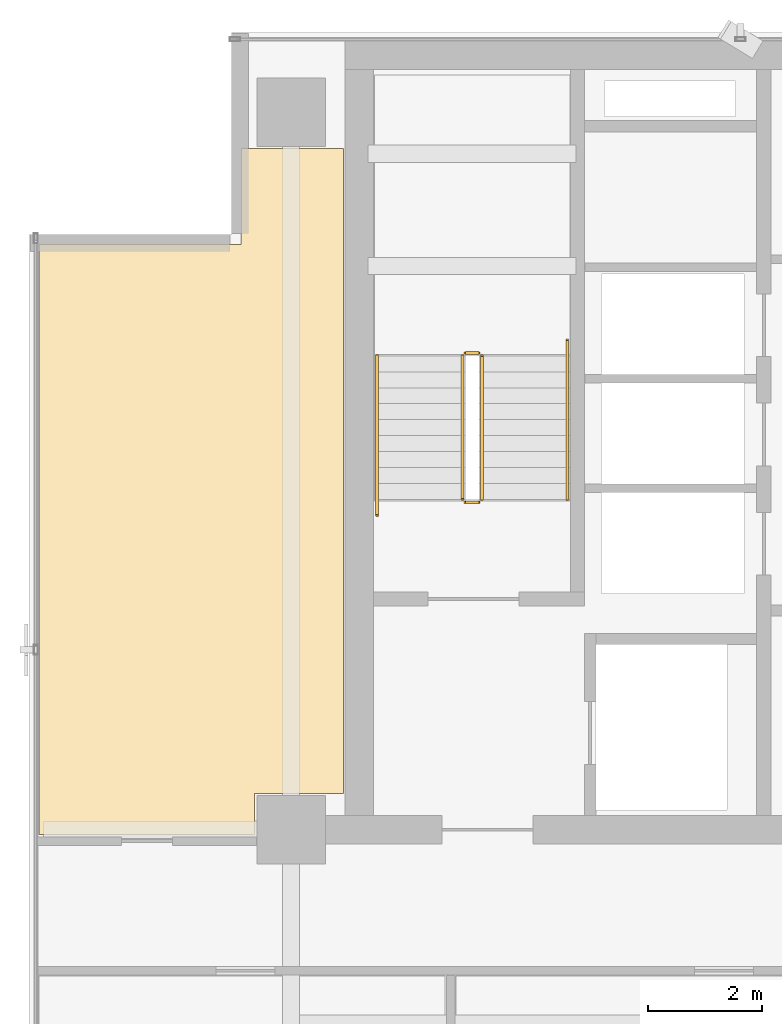
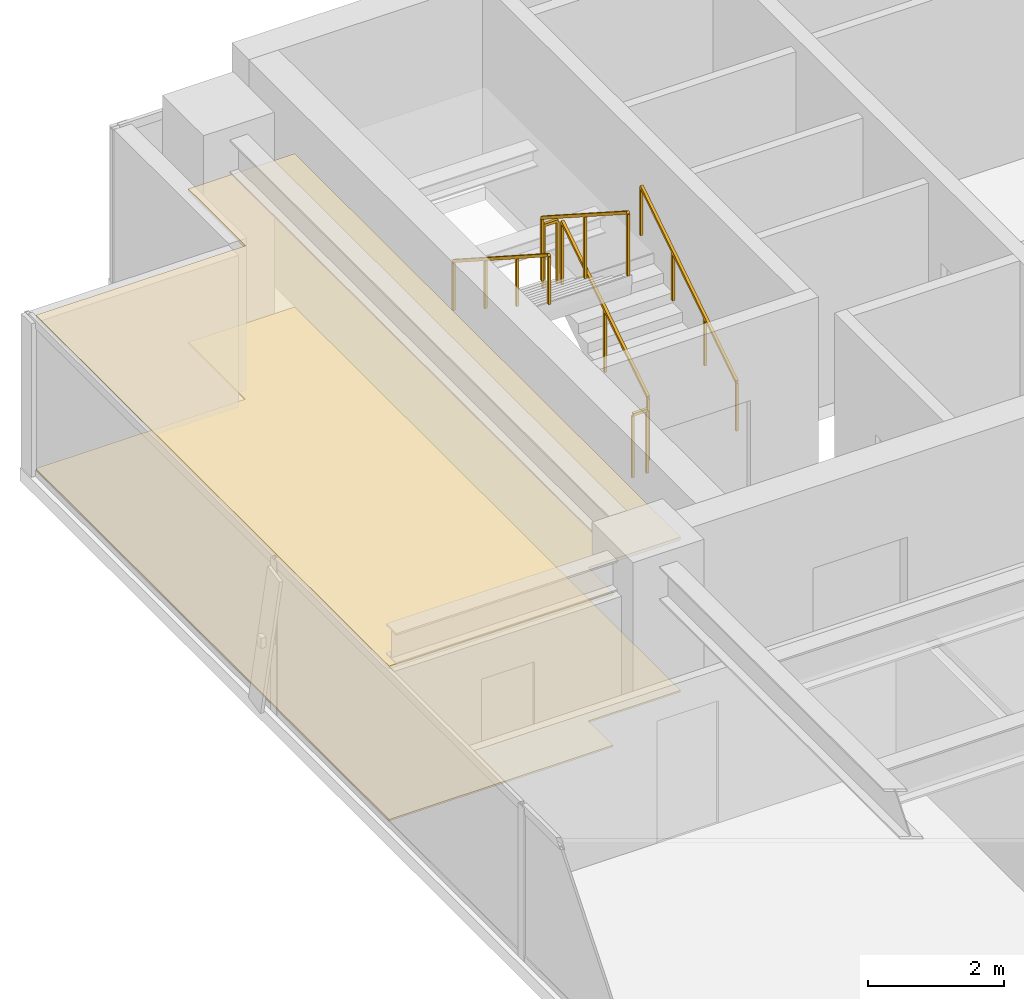
# One storey, part 19 of 22: 6 railings, 2 coverings.
"""IFC4 building model written with IfcOpenShell, lengths in metres."""

from ifc_helpers import new_model, si_unit, direction, frame, origin, origin_2d, place, context, subcontext, project, spatial, polyline, rectangle, outline, extrude, material, layer, layer_set, type_object, element, save


model = new_model("IFC4")

# Units and contexts
model_context = context("Model", 3, precision=1e-05, world=origin(), true_north=direction((0.0, 1.0)))
body_context = subcontext(model_context, "Body", "Model", "MODEL_VIEW")
ifc_project = project(units=[si_unit("LENGTHUNIT", "METRE"), si_unit("AREAUNIT", "SQUARE_METRE"), si_unit("VOLUMEUNIT", "CUBIC_METRE"), si_unit("PLANEANGLEUNIT", "RADIAN"), si_unit("MASSUNIT", "GRAM", prefix="KILO")], contexts=[model_context])

# Site, building, storey
site_placement = place(None, origin())
site = spatial("IfcSite", under=ifc_project, at=site_placement, CompositionType="ELEMENT")
building_placement = place(site_placement, origin())
building = spatial("IfcBuilding", under=site, at=building_placement, Name="Sumidabori Civic Tower", CompositionType="ELEMENT")
storey_placement = place(building_placement, frame((0.0, 0.0, 279.199951171875)))
storey = spatial("IfcBuildingStorey", under=building, at=storey_placement, Name="L73", CompositionType="ELEMENT", Elevation=279.199951171875)

# Coverings
ifc_material_1 = material(Name="Anodised Bronze Baffle Ceiling")
ifc_layer_1 = layer(ifc_material_1, 0.054931640625, Name="Anodised Bronze Baffle Ceiling")
ifc_layer_set_1 = layer_set([ifc_layer_1], Name="Anodised Bronze Baffle Ceiling")
covering_type_1 = type_object("IfcCoveringType", Name="CV-CEIL-AC3", PredefinedType="CEILING", material=ifc_layer_set_1)
covering_1_placement = place(storey_placement, frame((0.0, 0.0, 2.719970703125)))
element("IfcCovering", 1, at=covering_1_placement, inside=storey, type_object=covering_type_1, Name="Room Acoustic Ceiling L73-01", PredefinedType="CEILING", context=body_context, shape_type="SweptSolid", body=[
    extrude(outline(polyline([(-15.8779296875, 22.159912109375), (-15.8779296875, 10.840087890625), (-17.43994140625, 10.840087890625), (-17.43994140625, 10.1201171875), (-21.22998046875, 10.1201171875), (-21.22998046875, 20.47998046875), (-17.679931640625, 20.47998046875), (-17.679931640625, 22.159912109375), (-15.8779296875, 22.159912109375)])), origin(), (0.0, 0.0, 1.0), 0.05517578125),
])
ifc_material_2 = material(Name="Honed Terrazzo Tile Flooring")
ifc_layer_2 = layer(ifc_material_2, 0.030029296875, Name="Honed Terrazzo Tile Flooring")
ifc_layer_set_2 = layer_set([ifc_layer_2], Name="Honed Terrazzo Tile Flooring")
covering_type_2 = type_object("IfcCoveringType", Name="CV-FLR-TER", PredefinedType="FLOORING", material=ifc_layer_set_2)
covering_2_placement = place(storey_placement, origin())
element("IfcCovering", 2, at=covering_2_placement, inside=storey, type_object=covering_type_2, Name="Room Terrazzo Floor L73-01", PredefinedType="FLOORING", context=body_context, shape_type="SweptSolid", body=[
    extrude(outline(polyline([(-15.8779296875, 22.159912109375), (-15.8779296875, 10.840087890625), (-17.43994140625, 10.840087890625), (-17.43994140625, 10.1201171875), (-21.22998046875, 10.1201171875), (-21.22998046875, 20.47998046875), (-17.679931640625, 20.47998046875), (-17.679931640625, 22.159912109375), (-15.8779296875, 22.159912109375)])), origin(), (0.0, 0.0, 1.0), 0.030029296875),
])

# Railings
ifc_material_3 = material(Name="Stainless Steel Hairline Finish", Category="steel")
railing_type_1 = type_object("IfcRailingType", Name="RL-HANDRAIL", PredefinedType="HANDRAIL", material=ifc_material_3)
railing_1_placement = place(storey_placement, frame((-11.949951171875, 16.0, 0.179931640625)))
element("IfcRailing", 3, at=railing_1_placement, inside=storey, type_object=railing_type_1, Name="L73 ST-1 stair handrail 1", PredefinedType="HANDRAIL", context=body_context, shape_type="SweptSolid", body=[
    extrude(rectangle(XDim=0.048095703125, YDim=0.048095703125, at=origin_2d()), frame((0.0, 0.0, 0.8759765625), z_axis=(0.0, 0.84064222762, 0.54159084662), x_axis=(-1.0, 0.0, 0.0)), (0.0, 0.0, 1.0), 3.330810546875),
    extrude(rectangle(XDim=0.0419921875, YDim=0.0419921875, at=origin_2d()), origin(), (0.0, 0.0, 1.0), 0.851806640625),
    extrude(rectangle(XDim=0.0419921875, YDim=0.0419921875, at=origin_2d()), frame((0.0, 0.933349609375, 0.601318359375)), (0.0, 0.0, 1.0), 0.851806640625),
    extrude(rectangle(XDim=0.0419921875, YDim=0.0419921875, at=origin_2d()), frame((0.0, 1.86669921875, 1.20263671875)), (0.0, 0.0, 1.0), 0.851806640625),
    extrude(rectangle(XDim=0.0419921875, YDim=0.0419921875, at=origin_2d()), frame((0.0, 2.800048828125, 1.803955078125)), (0.0, 0.0, 1.0), 0.851806640625),
])
railing_2_placement = place(storey_placement, frame((-15.2900390625, 18.52001953125, 1.97998046875)))
element("IfcRailing", 4, at=railing_2_placement, inside=storey, type_object=railing_type_1, Name="L73 ST-1 stair handrail 2", PredefinedType="HANDRAIL", context=body_context, shape_type="SweptSolid", body=[
    extrude(rectangle(XDim=0.048095703125, YDim=0.048095703125, at=origin_2d()), frame((0.0, 0.0, 0.8759765625), z_axis=(0.0, -0.84064222762, 0.54159084662), x_axis=(1.0, 0.0, 0.0)), (0.0, 0.0, 1.0), 3.330810546875),
    extrude(rectangle(XDim=0.0419921875, YDim=0.0419921875, at=origin_2d()), origin(), (0.0, 0.0, 1.0), 0.851806640625),
    extrude(rectangle(XDim=0.0419921875, YDim=0.0419921875, at=origin_2d()), frame((0.0, -0.933349609375, 0.601318359375)), (0.0, 0.0, 1.0), 0.851806640625),
    extrude(rectangle(XDim=0.0419921875, YDim=0.0419921875, at=origin_2d()), frame((0.0, -1.86669921875, 1.20263671875)), (0.0, 0.0, 1.0), 0.851806640625),
    extrude(rectangle(XDim=0.0419921875, YDim=0.0419921875, at=origin_2d()), frame((0.0, -2.800048828125, 1.803955078125)), (0.0, 0.0, 1.0), 0.851806640625),
])
ifc_material_4 = material(Name="Steel SN490", Category="steel")
railing_type_2 = type_object("IfcRailingType", Name="RL-STAIR-GUARD", PredefinedType="GUARDRAIL", material=ifc_material_4)
railing_3_placement = place(storey_placement, frame((-13.449951171875, 16.0, 0.179931640625)))
element("IfcRailing", 5, at=railing_3_placement, inside=storey, type_object=railing_type_2, Name="L73 ST-1 stair guard 1", PredefinedType="GUARDRAIL", context=body_context, shape_type="SweptSolid", body=[
    extrude(rectangle(XDim=0.048095703125, YDim=0.048095703125, at=origin_2d()), frame((0.0, 0.0, 1.1259765625), z_axis=(0.0, 0.841162588446, 0.540782303519), x_axis=(-1.0, 0.0, 0.0)), (0.0, 0.0, 1.0), 2.995849609375),
    extrude(rectangle(XDim=0.0419921875, YDim=0.0419921875, at=origin_2d()), origin(), (0.0, 0.0, 1.0), 1.101806640625),
    extrude(rectangle(XDim=0.0419921875, YDim=0.0419921875, at=origin_2d()), frame((0.0, 1.260009765625, 0.81005859375)), (0.0, 0.0, 1.0), 1.101806640625),
    extrude(rectangle(XDim=0.0419921875, YDim=0.0419921875, at=origin_2d()), frame((0.0, 2.52001953125, 1.6201171875)), (0.0, 0.0, 1.0), 1.101806640625),
])
railing_4_placement = place(storey_placement, frame((-13.5, 18.570068359375, 1.800048828125)))
element("IfcRailing", 6, at=railing_4_placement, inside=storey, type_object=railing_type_2, Name="L73 ST-1 stair guard 2", PredefinedType="GUARDRAIL", context=body_context, shape_type="SweptSolid", body=[
    extrude(rectangle(XDim=0.048095703125, YDim=0.048095703125, at=origin_2d()), frame((0.0, 0.0, 1.1259765625), z_axis=(-1.0, 0.0, 0.0), x_axis=(0.0, -1.0, 0.0)), (0.0, 0.0, 1.0), 0.239990234375),
    extrude(rectangle(XDim=0.0419921875, YDim=0.0419921875, at=origin_2d()), origin(), (0.0, 0.0, 1.0), 1.101806640625),
    extrude(rectangle(XDim=0.0419921875, YDim=0.0419921875, at=origin_2d()), frame((-0.239990234375, 0.0, 0.0)), (0.0, 0.0, 1.0), 1.101806640625),
])
railing_5_placement = place(storey_placement, frame((-13.7900390625, 18.52001953125, 1.97998046875)))
element("IfcRailing", 7, at=railing_5_placement, inside=storey, type_object=railing_type_2, Name="L73 ST-1 stair guard 3", PredefinedType="GUARDRAIL", context=body_context, shape_type="SweptSolid", body=[
    extrude(rectangle(XDim=0.048095703125, YDim=0.048095703125, at=origin_2d()), frame((0.0, 0.0, 1.1259765625), z_axis=(0.0, -0.841162588446, 0.540782303519), x_axis=(1.0, 0.0, 0.0)), (0.0, 0.0, 1.0), 2.995849609375),
    extrude(rectangle(XDim=0.0419921875, YDim=0.0419921875, at=origin_2d()), origin(), (0.0, 0.0, 1.0), 1.101806640625),
    extrude(rectangle(XDim=0.0419921875, YDim=0.0419921875, at=origin_2d()), frame((0.0, -1.260009765625, 0.81005859375)), (0.0, 0.0, 1.0), 1.101806640625),
    extrude(rectangle(XDim=0.0419921875, YDim=0.0419921875, at=origin_2d()), frame((0.0, -2.52001953125, 1.6201171875)), (0.0, 0.0, 1.0), 1.101806640625),
])
railing_6_placement = place(storey_placement, frame((-13.5, 15.949951171875, 0.0)))
element("IfcRailing", 8, at=railing_6_placement, inside=storey, type_object=railing_type_2, Name="L73 ST-1 stair guard 4", PredefinedType="GUARDRAIL", context=body_context, shape_type="SweptSolid", body=[
    extrude(rectangle(XDim=0.048095703125, YDim=0.048095703125, at=origin_2d()), frame((0.0, 0.0, 1.1259765625), z_axis=(-1.0, 0.0, 0.0), x_axis=(0.0, -1.0, 0.0)), (0.0, 0.0, 1.0), 0.239990234375),
    extrude(rectangle(XDim=0.0419921875, YDim=0.0419921875, at=origin_2d()), origin(), (0.0, 0.0, 1.0), 1.101806640625),
    extrude(rectangle(XDim=0.0419921875, YDim=0.0419921875, at=origin_2d()), frame((-0.239990234375, 0.0, 0.0)), (0.0, 0.0, 1.0), 1.101806640625),
])

save(model, "model.ifc")
